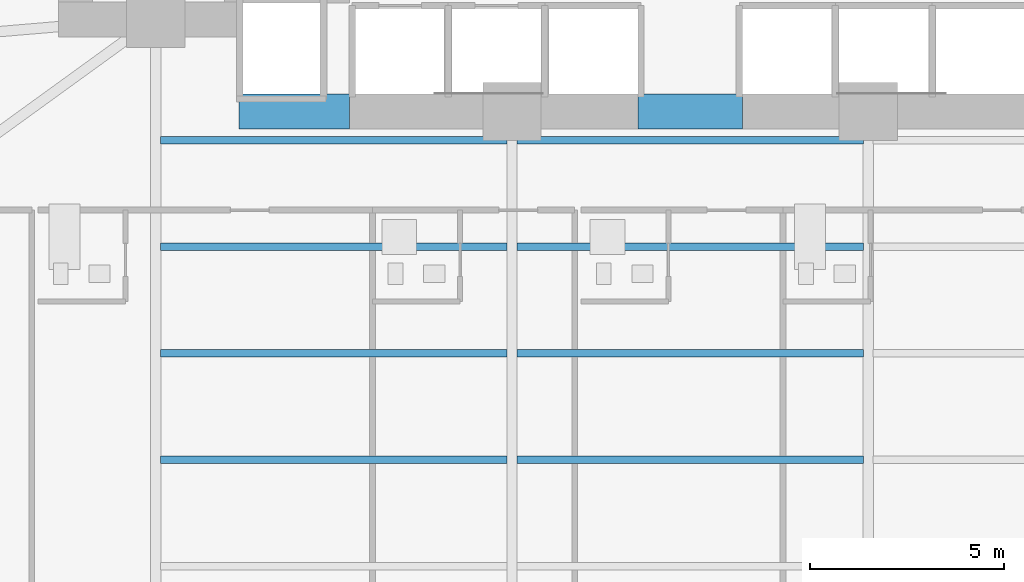
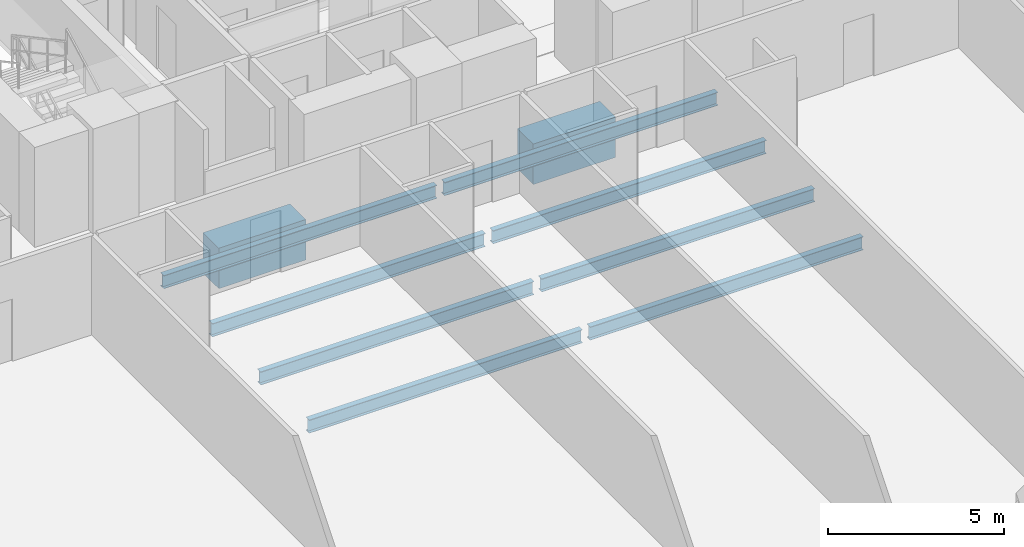
# One storey, part 7 of 29: 10 beams.
"""IFC4 building model written with IfcOpenShell, lengths in metres."""

from ifc_helpers import new_model, si_unit, direction, frame, origin, origin_2d, place, context, subcontext, project, spatial, rectangle, i_section, extrude, material, material_profile, profile_set, type_object, element, save


model = new_model("IFC4")

# Units and contexts
model_context = context("Model", 3, precision=1e-05, world=origin(), true_north=direction((0.0, 1.0)))
body_context = subcontext(model_context, "Body", "Model", "MODEL_VIEW")
ifc_project = project(units=[si_unit("LENGTHUNIT", "METRE"), si_unit("AREAUNIT", "SQUARE_METRE"), si_unit("VOLUMEUNIT", "CUBIC_METRE"), si_unit("PLANEANGLEUNIT", "RADIAN"), si_unit("MASSUNIT", "GRAM", prefix="KILO")], contexts=[model_context])

# Site, building, storey
site_placement = place(None, origin())
site = spatial("IfcSite", under=ifc_project, at=site_placement, CompositionType="ELEMENT")
building_placement = place(site_placement, origin())
building = spatial("IfcBuilding", under=site, at=building_placement, Name="Zuhayl Quay Hotel", CompositionType="ELEMENT")
storey_placement = place(building_placement, frame((0.0, 0.0, 42.199951171875)))
storey = spatial("IfcBuildingStorey", under=building, at=storey_placement, Name="L09", CompositionType="ELEMENT", Elevation=42.199951171875)

# Beams
ifc_material_1 = material(Name="Concrete C60/75", Category="concrete")
ifc_material_profile_1 = material_profile(ifc_material_1, rectangle(XDim=0.89990234375, YDim=1.39990234375, at=origin_2d()), Name="RC900X1400")
ifc_profile_set_1 = profile_set([ifc_material_profile_1], Name="Concrete C60/75")
beam_type_1 = type_object("IfcBeamType", Name="BM_CB1_RC900", PredefinedType="T_BEAM", material=ifc_profile_set_1)
beam_1_placement = place(storey_placement, frame((-11.64990234375, 2.14990234375, -0.919921875), z_axis=(1.0, 0.0, 0.0), x_axis=(0.0, 1.0, 0.0)))
element("IfcBeam", 1, at=beam_1_placement, inside=storey, type_object=beam_type_1, Name="L09 Core Coupling Beam SW", PredefinedType="T_BEAM", context=body_context, shape_type="SweptSolid", body=[
    extrude(rectangle(XDim=0.89990234375, YDim=1.39990234375, at=origin_2d()), origin(), (0.0, 0.0, 1.0), 2.849853515625),
])
beam_2_placement = place(storey_placement, frame((-1.35009765625, 2.14990234375, -0.919921875), z_axis=(1.0, 0.0, 0.0), x_axis=(0.0, 1.0, 0.0)))
element("IfcBeam", 2, at=beam_2_placement, inside=storey, type_object=beam_type_1, Name="L09 Core Coupling Beam South", PredefinedType="T_BEAM", context=body_context, shape_type="SweptSolid", body=[
    extrude(rectangle(XDim=0.89990234375, YDim=1.39990234375, at=origin_2d()), origin(), (0.0, 0.0, 1.0), 2.7001953125),
])
ifc_material_2 = material(Name="Steel ASTM A992 Grade 50", Category="steel")
ifc_material_profile_2 = material_profile(ifc_material_2, i_section(OverallWidth=0.18994140625, OverallDepth=0.45703125, WebThickness=0.009033203125, FlangeThickness=0.014404296875, at=origin_2d()), Name="W18X50")
ifc_profile_set_2 = profile_set([ifc_material_profile_2], Name="Steel ASTM A992 Grade 50")
beam_type_2 = type_object("IfcBeamType", Name="BM_J2_W18X50", PredefinedType="JOIST", material=ifc_profile_set_2)
beam_3_placement = place(storey_placement, frame((-13.674560546875, -6.85009765625, -0.448486328125), z_axis=(1.0, 0.0, 0.0), x_axis=(0.0, 1.0, 0.0)))
element("IfcBeam", 3, at=beam_3_placement, inside=storey, type_object=beam_type_2, Name="L09 Floor Beam FJ_L09_7_1", PredefinedType="JOIST", context=body_context, shape_type="SweptSolid", body=[
    extrude(i_section(OverallWidth=0.18994140625, OverallDepth=0.45703125, WebThickness=0.009033203125, FlangeThickness=0.014404296875, at=origin_2d()), origin(), (0.0, 0.0, 1.0), 8.948974609375),
])
beam_4_placement = place(storey_placement, frame((-4.474609375, -6.85009765625, -0.448486328125), z_axis=(1.0, 0.0, 0.0), x_axis=(0.0, 1.0, 0.0)))
element("IfcBeam", 4, at=beam_4_placement, inside=storey, type_object=beam_type_2, Name="L09 Floor Beam FJ_L09_7_2", PredefinedType="JOIST", context=body_context, shape_type="SweptSolid", body=[
    extrude(i_section(OverallWidth=0.18994140625, OverallDepth=0.45703125, WebThickness=0.009033203125, FlangeThickness=0.014404296875, at=origin_2d()), origin(), (0.0, 0.0, 1.0), 8.94921875),
])
beam_5_placement = place(storey_placement, frame((-13.674560546875, -4.10009765625, -0.448486328125), z_axis=(1.0, 0.0, 0.0), x_axis=(0.0, 1.0, 0.0)))
element("IfcBeam", 5, at=beam_5_placement, inside=storey, type_object=beam_type_2, Name="L09 Floor Beam FJ_L09_8_1", PredefinedType="JOIST", context=body_context, shape_type="SweptSolid", body=[
    extrude(i_section(OverallWidth=0.18994140625, OverallDepth=0.45703125, WebThickness=0.009033203125, FlangeThickness=0.014404296875, at=origin_2d()), origin(), (0.0, 0.0, 1.0), 8.948974609375),
])
beam_6_placement = place(storey_placement, frame((-4.474609375, -4.10009765625, -0.448486328125), z_axis=(1.0, 0.0, 0.0), x_axis=(0.0, 1.0, 0.0)))
element("IfcBeam", 6, at=beam_6_placement, inside=storey, type_object=beam_type_2, Name="L09 Floor Beam FJ_L09_8_2", PredefinedType="JOIST", context=body_context, shape_type="SweptSolid", body=[
    extrude(i_section(OverallWidth=0.18994140625, OverallDepth=0.45703125, WebThickness=0.009033203125, FlangeThickness=0.014404296875, at=origin_2d()), origin(), (0.0, 0.0, 1.0), 8.94921875),
])
beam_7_placement = place(storey_placement, frame((-13.674560546875, -1.35009765625, -0.448486328125), z_axis=(1.0, 0.0, 0.0), x_axis=(0.0, 1.0, 0.0)))
element("IfcBeam", 7, at=beam_7_placement, inside=storey, type_object=beam_type_2, Name="L09 Floor Beam FJ_L09_9_1", PredefinedType="JOIST", context=body_context, shape_type="SweptSolid", body=[
    extrude(i_section(OverallWidth=0.18994140625, OverallDepth=0.45703125, WebThickness=0.009033203125, FlangeThickness=0.014404296875, at=origin_2d()), origin(), (0.0, 0.0, 1.0), 8.948974609375),
])
beam_8_placement = place(storey_placement, frame((-4.474609375, -1.35009765625, -0.448486328125), z_axis=(1.0, 0.0, 0.0), x_axis=(0.0, 1.0, 0.0)))
element("IfcBeam", 8, at=beam_8_placement, inside=storey, type_object=beam_type_2, Name="L09 Floor Beam FJ_L09_9_2", PredefinedType="JOIST", context=body_context, shape_type="SweptSolid", body=[
    extrude(i_section(OverallWidth=0.18994140625, OverallDepth=0.45703125, WebThickness=0.009033203125, FlangeThickness=0.014404296875, at=origin_2d()), origin(), (0.0, 0.0, 1.0), 8.94921875),
])
beam_9_placement = place(storey_placement, frame((-13.674560546875, 1.39990234375, -0.448486328125), z_axis=(1.0, 0.0, 0.0), x_axis=(0.0, 1.0, 0.0)))
element("IfcBeam", 9, at=beam_9_placement, inside=storey, type_object=beam_type_2, Name="L09 Floor Beam FJ_L09_10_1", PredefinedType="JOIST", context=body_context, shape_type="SweptSolid", body=[
    extrude(i_section(OverallWidth=0.18994140625, OverallDepth=0.45703125, WebThickness=0.009033203125, FlangeThickness=0.014404296875, at=origin_2d()), origin(), (0.0, 0.0, 1.0), 8.948974609375),
])
beam_10_placement = place(storey_placement, frame((-4.474609375, 1.39990234375, -0.448486328125), z_axis=(1.0, 0.0, 0.0), x_axis=(0.0, 1.0, 0.0)))
element("IfcBeam", 10, at=beam_10_placement, inside=storey, type_object=beam_type_2, Name="L09 Floor Beam FJ_L09_10_2", PredefinedType="JOIST", context=body_context, shape_type="SweptSolid", body=[
    extrude(i_section(OverallWidth=0.18994140625, OverallDepth=0.45703125, WebThickness=0.009033203125, FlangeThickness=0.014404296875, at=origin_2d()), origin(), (0.0, 0.0, 1.0), 8.94921875),
])

save(model, "model.ifc")
